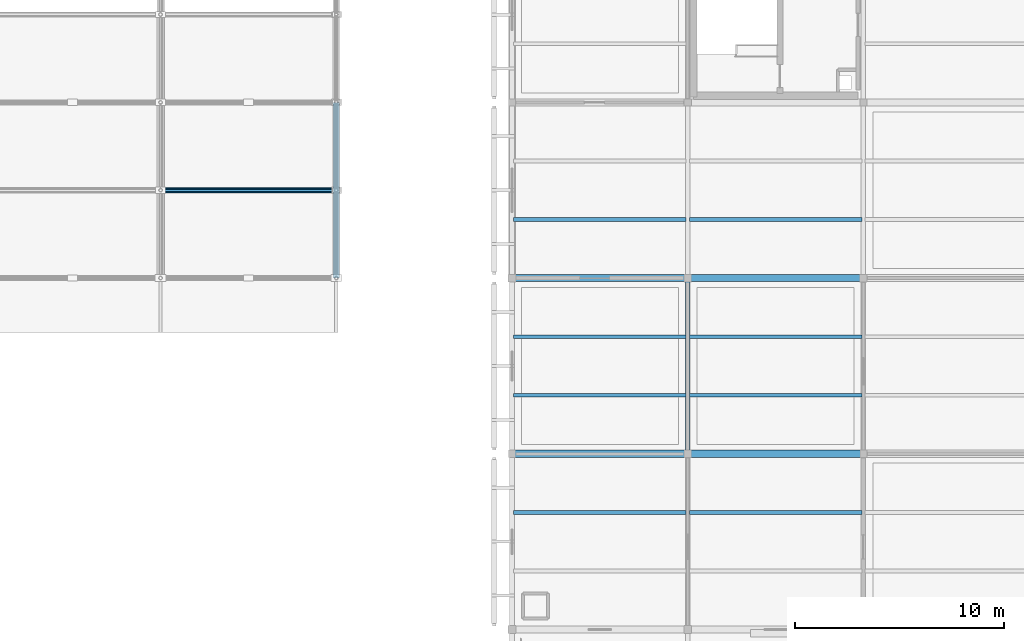
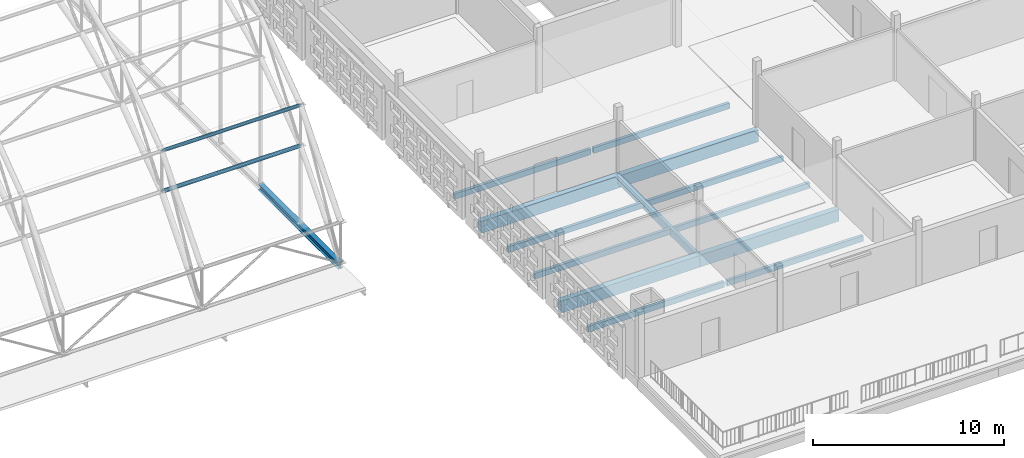
# One storey, part 54 of 103: 14 beams, 2 members.
"""IFC4 building model written with IfcOpenShell, lengths in metres."""

from ifc_helpers import new_model, si_unit, direction, frame, origin, origin_2d, place, context, subcontext, project, spatial, rectangle, hollow_circle, i_section, extrude, material, material_profile, profile_set, type_object, element, save


model = new_model("IFC4")

# Units and contexts
model_context = context("Model", 3, precision=1e-05, world=origin(), true_north=direction((0.0, 1.0)))
body_context = subcontext(model_context, "Body", "Model", "MODEL_VIEW")
ifc_project = project(units=[si_unit("LENGTHUNIT", "METRE"), si_unit("AREAUNIT", "SQUARE_METRE"), si_unit("VOLUMEUNIT", "CUBIC_METRE"), si_unit("PLANEANGLEUNIT", "RADIAN"), si_unit("MASSUNIT", "GRAM", prefix="KILO")], contexts=[model_context])

# Site, building, storey
site_placement = place(None, origin())
site = spatial("IfcSite", under=ifc_project, at=site_placement, CompositionType="ELEMENT")
building_placement = place(site_placement, origin())
building = spatial("IfcBuilding", under=site, at=building_placement, Name="Varnapada Polytechnic", CompositionType="ELEMENT")
storey_placement = place(building_placement, frame((0.0, 0.0, 18.0)))
storey = spatial("IfcBuildingStorey", under=building, at=storey_placement, Name="L04", CompositionType="ELEMENT", Elevation=18.0)

# Beams
ifc_material_1 = material(Name="Glulam GL32h", Category="wood")
ifc_material_profile_1 = material_profile(ifc_material_1, rectangle(XDim=0.340087890625, YDim=0.760009765625, at=origin_2d()), Name="GL 340x760")
ifc_profile_set_1 = profile_set([ifc_material_profile_1], Name="Glulam GL32h")
beam_type_1 = type_object("IfcBeamType", Name="Archive stack glulam girder GG-07 (GL 340x760)", PredefinedType="BEAM", material=ifc_profile_set_1)
for number, where, z_axis, x_axis, name in (
    (1, (142.800048828125, 75.60009765625, -0.60009765625), (1.0, 0.0, 0.0), (0.0, 1.0, 0.0), "L04 beam X 18-19 at Y10"),
    (2, (142.800048828125, 84.0, -0.60009765625), (1.0, 0.0, 0.0), (0.0, 1.0, 0.0), "L04 beam X 18-19 at Y11"),
):
    element("IfcBeam", number, at=place(storey_placement, frame(where, z_axis=z_axis, x_axis=x_axis)), inside=storey, type_object=beam_type_1, Name=name, PredefinedType="BEAM", context=body_context, shape_type="SweptSolid", body=[
        extrude(rectangle(XDim=0.340087890625, YDim=0.760009765625, at=origin_2d()), origin(), (0.0, 0.0, 1.0), 8.39990234375),
    ])
for number, where, z_axis, x_axis, name in (
    (3, (151.199951171875, 75.60009765625, -0.60009765625), (1.0, 0.0, 0.0), (0.0, 1.0, 0.0), "L04 beam X 19-20 at Y10"),
    (4, (151.199951171875, 84.0, -0.60009765625), (1.0, 0.0, 0.0), (0.0, 1.0, 0.0), "L04 beam X 19-20 at Y11"),
):
    element("IfcBeam", number, at=place(storey_placement, frame(where, z_axis=z_axis, x_axis=x_axis)), inside=storey, type_object=beam_type_1, Name=name, PredefinedType="BEAM", context=body_context, shape_type="SweptSolid", body=[
        extrude(rectangle(XDim=0.340087890625, YDim=0.760009765625, at=origin_2d()), origin(), (0.0, 0.0, 1.0), 8.400146484375),
    ])
ifc_material_2 = material(Name="Steel S355", Category="steel")
ifc_material_profile_2 = material_profile(ifc_material_2, i_section(OverallWidth=0.300048828125, OverallDepth=0.389892578125, WebThickness=0.010986328125, FlangeThickness=0.01904296875, FilletRadius=0.027099609375, at=origin_2d()), Name="HEA 400")
ifc_profile_set_2 = profile_set([ifc_material_profile_2], Name="Steel S355")
beam_type_2 = type_object("IfcBeamType", Name="Steel roof primary girder SG-01 (HEA 400)", PredefinedType="BEAM", material=ifc_profile_set_2)
beam_1_placement = place(storey_placement, frame((134.39990234375, 84.0, -0.18994140625), z_axis=(0.0, 1.0, 0.0), x_axis=(-1.0, 0.0, 0.0)))
element("IfcBeam", 5, at=beam_1_placement, inside=storey, type_object=beam_type_2, Name="L04 workshop arch tympanum sill girder E.1", PredefinedType="BEAM", context=body_context, shape_type="SweptSolid", body=[
    extrude(i_section(OverallWidth=0.300048828125, OverallDepth=0.389892578125, WebThickness=0.010986328125, FlangeThickness=0.01904296875, FilletRadius=0.027099609375, at=origin_2d()), origin(), (0.0, 0.0, 1.0), 8.39990234375),
])
ifc_material_profile_3 = material_profile(ifc_material_1, rectangle(XDim=0.179931640625, YDim=0.360107421875, at=origin_2d()), Name="GL 180x360")
ifc_profile_set_3 = profile_set([ifc_material_profile_3], Name="Glulam GL32h")
beam_type_3 = type_object("IfcBeamType", Name="Studio/seminar glulam floor joist GJ-02 (GL 180x360)", PredefinedType="JOIST", material=ifc_profile_set_3)
for number, where, z_axis, x_axis, name in (
    (6, (142.8798828125, 72.800048828125, -0.39990234375), (1.0, 0.0, 0.0), (0.0, 1.0, 0.0), "L04 floor joist 18/9.2"),
    (7, (142.8798828125, 78.39990234375, -0.39990234375), (1.0, 0.0, 0.0), (0.0, 1.0, 0.0), "L04 floor joist 18/10.1"),
    (8, (142.8798828125, 81.199951171875, -0.39990234375), (1.0, 0.0, 0.0), (0.0, 1.0, 0.0), "L04 floor joist 18/10.2"),
    (9, (142.8798828125, 86.800048828125, -0.39990234375), (1.0, 0.0, 0.0), (0.0, 1.0, 0.0), "L04 floor joist 18/11.1"),
):
    element("IfcBeam", number, at=place(storey_placement, frame(where, z_axis=z_axis, x_axis=x_axis)), inside=storey, type_object=beam_type_3, Name=name, PredefinedType="JOIST", context=body_context, shape_type="SweptSolid", body=[
        extrude(rectangle(XDim=0.179931640625, YDim=0.360107421875, at=origin_2d()), origin(), (0.0, 0.0, 1.0), 8.240234375),
    ])
for number, where, z_axis, x_axis, name in (
    (10, (151.280029296875, 72.800048828125, -0.39990234375), (1.0, 0.0, 0.0), (0.0, 1.0, 0.0), "L04 floor joist 19/9.2"),
    (11, (151.280029296875, 78.39990234375, -0.39990234375), (1.0, 0.0, 0.0), (0.0, 1.0, 0.0), "L04 floor joist 19/10.1"),
    (12, (151.280029296875, 81.199951171875, -0.39990234375), (1.0, 0.0, 0.0), (0.0, 1.0, 0.0), "L04 floor joist 19/10.2"),
    (13, (151.280029296875, 86.800048828125, -0.39990234375), (1.0, 0.0, 0.0), (0.0, 1.0, 0.0), "L04 floor joist 19/11.1"),
):
    element("IfcBeam", number, at=place(storey_placement, frame(where, z_axis=z_axis, x_axis=x_axis)), inside=storey, type_object=beam_type_3, Name=name, PredefinedType="JOIST", context=body_context, shape_type="SweptSolid", body=[
        extrude(rectangle(XDim=0.179931640625, YDim=0.360107421875, at=origin_2d()), origin(), (0.0, 0.0, 1.0), 8.239990234375),
    ])
ifc_material_profile_4 = material_profile(ifc_material_1, rectangle(XDim=0.219970703125, YDim=0.47998046875, at=origin_2d()), Name="GL 220x480")
ifc_profile_set_4 = profile_set([ifc_material_profile_4], Name="Glulam GL32h")
beam_type_4 = type_object("IfcBeamType", Name="Upper floor glulam tie beam GB-11 (GL 220x480)", PredefinedType="BEAM", material=ifc_profile_set_4)
beam_2_placement = place(storey_placement, frame((151.199951171875, 75.60009765625, -0.4599609375), z_axis=(0.0, 1.0, 0.0), x_axis=(-1.0, 0.0, 0.0)))
element("IfcBeam", 14, at=beam_2_placement, inside=storey, type_object=beam_type_4, Name="L04 beam Y 10-11 at X19", PredefinedType="BEAM", context=body_context, shape_type="SweptSolid", body=[
    extrude(rectangle(XDim=0.219970703125, YDim=0.47998046875, at=origin_2d()), origin(), (0.0, 0.0, 1.0), 8.39990234375),
])

# Members
ifc_material_profile_5 = material_profile(ifc_material_2, hollow_circle(Radius=0.122314453125, WallThickness=0.008056640625, at=origin_2d()), Name="CHS 244.5x8.0")
ifc_profile_set_5 = profile_set([ifc_material_profile_5], Name="Steel S355")
member_type_1 = type_object("IfcMemberType", Name="Vaulted space frame longitudinal bottom chord SFC-01 (CHS 244.5x8.0)", PredefinedType="CHORD", material=ifc_profile_set_5)
member_1_placement = place(storey_placement, frame((126.0, 88.199951171875, 4.94921875), z_axis=(1.0, 0.0, 0.0), x_axis=(0.0, 1.0, 0.0)))
element("IfcMember", 15, at=member_1_placement, inside=storey, type_object=member_type_1, Name="Vaulted space frame longitudinal bottom chord 10.2", PredefinedType="CHORD", context=body_context, shape_type="SweptSolid", body=[
    extrude(hollow_circle(Radius=0.122314453125, WallThickness=0.008056640625, at=origin_2d()), origin(), (0.0, 0.0, 1.0), 8.39990234375),
])
ifc_material_profile_6 = material_profile(ifc_material_2, hollow_circle(Radius=0.109619140625, WallThickness=0.008056640625, at=origin_2d()), Name="CHS 219.1x8.0")
ifc_profile_set_6 = profile_set([ifc_material_profile_6], Name="Steel S355")
member_type_2 = type_object("IfcMemberType", Name="Vaulted space frame longitudinal top chord SFC-02 (CHS 219.1x8.0)", PredefinedType="CHORD", material=ifc_profile_set_6)
member_2_placement = place(storey_placement, frame((126.0, 88.199951171875, 7.549072265625), z_axis=(1.0, 0.0, 0.0), x_axis=(0.0, 1.0, 0.0)))
element("IfcMember", 16, at=member_2_placement, inside=storey, type_object=member_type_2, Name="Vaulted space frame longitudinal top chord 10.2", PredefinedType="CHORD", context=body_context, shape_type="SweptSolid", body=[
    extrude(hollow_circle(Radius=0.109619140625, WallThickness=0.008056640625, at=origin_2d()), origin(), (0.0, 0.0, 1.0), 8.39990234375),
])

save(model, "model.ifc")
